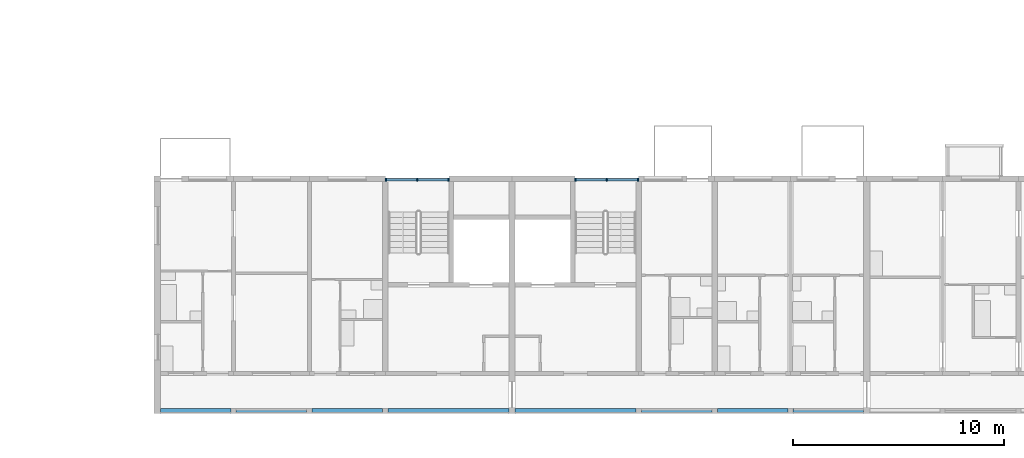
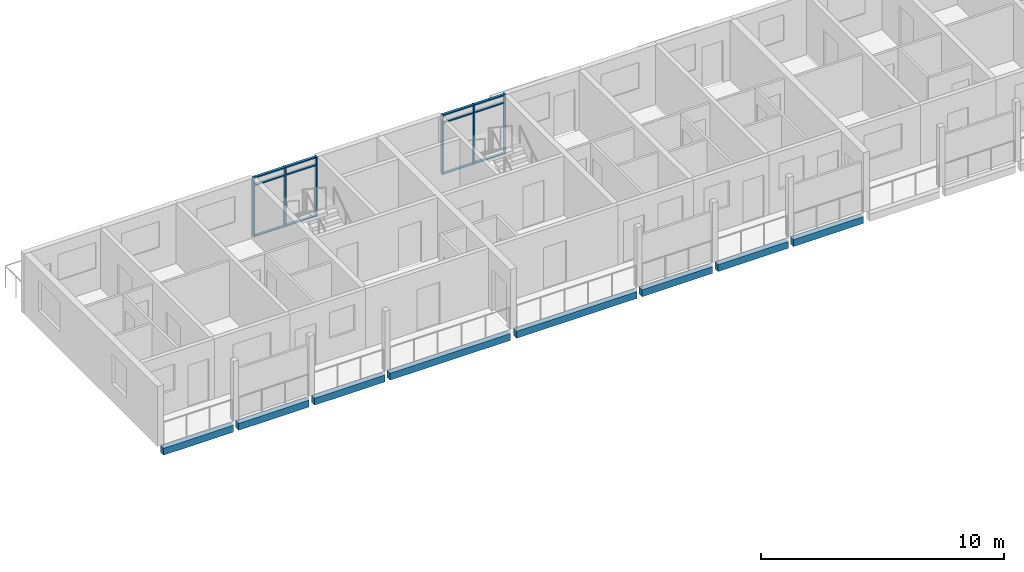
# One storey, part 12 of 99: 18 members, 8 beams, 2 elements without a shape of their own.
"""IFC4 building model written with IfcOpenShell, lengths in metres."""

from ifc_helpers import new_model, si_unit, direction, frame, origin, origin_2d, place, context, subcontext, project, spatial, rectangle, extrude, material, material_profile, profile_set, type_object, element, aggregate, save


model = new_model("IFC4")

# Units and contexts
model_context = context("Model", 3, precision=1e-05, world=origin(), true_north=direction((0.0, 1.0)))
body_context = subcontext(model_context, "Body", "Model", "MODEL_VIEW")
ifc_project = project(units=[si_unit("LENGTHUNIT", "METRE"), si_unit("AREAUNIT", "SQUARE_METRE"), si_unit("VOLUMEUNIT", "CUBIC_METRE"), si_unit("PLANEANGLEUNIT", "RADIAN"), si_unit("MASSUNIT", "GRAM", prefix="KILO")], contexts=[model_context])

# Site, building, storey
site_placement = place(None, origin())
site = spatial("IfcSite", under=ifc_project, at=site_placement, CompositionType="ELEMENT")
building_placement = place(site_placement, origin())
building = spatial("IfcBuilding", under=site, at=building_placement, Name="Ridgestep Commons", CompositionType="ELEMENT")
storey_placement = place(building_placement, frame((0.0, 0.0, 15.0)))
storey = spatial("IfcBuildingStorey", under=building, at=storey_placement, Name="L05", CompositionType="ELEMENT", Elevation=15.0)

# Beams
ifc_material_1 = material(Name="Precast concrete C40/50", Category="concrete")
ifc_material_profile_1 = material_profile(ifc_material_1, rectangle(XDim=0.25, YDim=0.35009765625, at=origin_2d()), Name="PC 250x350")
ifc_profile_set_1 = profile_set([ifc_material_profile_1], Name="Precast concrete C40/50")
beam_type = type_object("IfcBeamType", Name="Loggia edge beam 250 x 350", PredefinedType="SPANDREL", material=ifc_profile_set_1)
beam_1_placement = place(storey_placement, frame((146.949951171875, 11.875, -0.375), z_axis=(1.0, 0.0, 0.0), x_axis=(0.0, 1.0, 0.0)))
element("IfcBeam", 1, at=beam_1_placement, inside=storey, type_object=beam_type, Name="Loggia edge beam D1T1 L05", PredefinedType="SPANDREL", context=body_context, shape_type="SweptSolid", body=[
    extrude(rectangle(XDim=0.25, YDim=0.35009765625, at=origin_2d()), origin(), (0.0, 0.0, 1.0), 3.324951171875),
])
for number, where, z_axis, x_axis, name in (
    (2, (150.52490234375, 11.875, -0.375), (1.0, 0.0, 0.0), (0.0, 1.0, 0.0), "Loggia edge beam D1T2 L05"),
    (3, (154.125, 11.875, -0.375), (1.0, 0.0, 0.0), (0.0, 1.0, 0.0), "Loggia edge beam D1T3 L05"),
):
    element("IfcBeam", number, at=place(storey_placement, frame(where, z_axis=z_axis, x_axis=x_axis)), inside=storey, type_object=beam_type, Name=name, PredefinedType="SPANDREL", context=body_context, shape_type="SweptSolid", body=[
        extrude(rectangle(XDim=0.25, YDim=0.35009765625, at=origin_2d()), origin(), (0.0, 0.0, 1.0), 3.35009765625),
    ])
beam_2_placement = place(storey_placement, frame((157.72509765625, 11.875, -0.375), z_axis=(1.0, 0.0, 0.0), x_axis=(0.0, 1.0, 0.0)))
element("IfcBeam", 4, at=beam_2_placement, inside=storey, type_object=beam_type, Name="Loggia edge beam D1C L05", PredefinedType="SPANDREL", context=body_context, shape_type="SweptSolid", body=[
    extrude(rectangle(XDim=0.25, YDim=0.35009765625, at=origin_2d()), origin(), (0.0, 0.0, 1.0), 5.724853515625),
])
beam_3_placement = place(storey_placement, frame((163.75, 11.875, -0.375), z_axis=(1.0, 0.0, 0.0), x_axis=(0.0, 1.0, 0.0)))
element("IfcBeam", 5, at=beam_3_placement, inside=storey, type_object=beam_type, Name="Loggia edge beam D2C L05", PredefinedType="SPANDREL", context=body_context, shape_type="SweptSolid", body=[
    extrude(rectangle(XDim=0.25, YDim=0.35009765625, at=origin_2d()), origin(), (0.0, 0.0, 1.0), 5.72509765625),
])
beam_4_placement = place(storey_placement, frame((169.72509765625, 11.875, -0.375), z_axis=(1.0, 0.0, 0.0), x_axis=(0.0, 1.0, 0.0)))
element("IfcBeam", 6, at=beam_4_placement, inside=storey, type_object=beam_type, Name="Loggia edge beam D2T3 L05", PredefinedType="SPANDREL", context=body_context, shape_type="SweptSolid", body=[
    extrude(rectangle(XDim=0.25, YDim=0.35009765625, at=origin_2d()), origin(), (0.0, 0.0, 1.0), 3.349853515625),
])
beam_5_placement = place(storey_placement, frame((173.324951171875, 11.875, -0.375), z_axis=(1.0, 0.0, 0.0), x_axis=(0.0, 1.0, 0.0)))
element("IfcBeam", 7, at=beam_5_placement, inside=storey, type_object=beam_type, Name="Loggia edge beam D2T2 L05", PredefinedType="SPANDREL", context=body_context, shape_type="SweptSolid", body=[
    extrude(rectangle(XDim=0.25, YDim=0.35009765625, at=origin_2d()), origin(), (0.0, 0.0, 1.0), 3.35009765625),
])
beam_6_placement = place(storey_placement, frame((176.925048828125, 11.875, -0.375), z_axis=(1.0, 0.0, 0.0), x_axis=(0.0, 1.0, 0.0)))
element("IfcBeam", 8, at=beam_6_placement, inside=storey, type_object=beam_type, Name="Loggia edge beam D2T1 L05", PredefinedType="SPANDREL", context=body_context, shape_type="SweptSolid", body=[
    extrude(rectangle(XDim=0.25, YDim=0.35009765625, at=origin_2d()), origin(), (0.0, 0.0, 1.0), 3.324951171875),
])

# Curtain wall, members
ifc_material_2 = material(Name="Aluminium 6063-T6 and glass", Category="aluminium")
curtain_wall_type = type_object("IfcCurtainWallType", Name="Curtain wall stair strip", PredefinedType="NOTDEFINED", material=ifc_material_2)
curtain_wall_1_placement = place(storey_placement, origin())
curtain_wall_1 = element("IfcCurtainWall", 9, at=curtain_wall_1_placement, inside=storey, type_object=curtain_wall_type, Name="Curtain wall D1C level 05", PredefinedType="NOTDEFINED")
ifc_material_3 = material(Name="Aluminium 6063-T6", Category="aluminium")
ifc_material_profile_2 = material_profile(ifc_material_3, rectangle(XDim=0.159912109375, YDim=0.06005859375, at=origin_2d()), Name="Mullion 60 x 160")
ifc_profile_set_2 = profile_set([ifc_material_profile_2], Name="Aluminium 6063-T6")
member_type_1 = type_object("IfcMemberType", Name="Mullion 60 x 160", PredefinedType="MULLION", material=ifc_profile_set_2)
member_1_placement = place(storey_placement, frame((157.6298828125, 22.830078125, 0.0), z_axis=(0.0, 0.0, 1.0), x_axis=(0.0, 1.0, 0.0)))
member_1 = element("IfcMember", 10, at=member_1_placement, type_object=member_type_1, Name="CW1 mullion 1", PredefinedType="MULLION", context=body_context, shape_type="SweptSolid", body=[
    extrude(rectangle(XDim=0.159912109375, YDim=0.06005859375, at=origin_2d()), origin(), (0.0, 0.0, 1.0), 3.0),
])
member_2_placement = place(storey_placement, frame((159.112548828125, 22.830078125, 0.0), z_axis=(0.0, 0.0, 1.0), x_axis=(0.0, 1.0, 0.0)))
member_2 = element("IfcMember", 11, at=member_2_placement, type_object=member_type_1, Name="CW1 mullion 2", PredefinedType="MULLION", context=body_context, shape_type="SweptSolid", body=[
    extrude(rectangle(XDim=0.159912109375, YDim=0.06005859375, at=origin_2d()), origin(), (0.0, 0.0, 1.0), 3.0),
])
member_3_placement = place(storey_placement, frame((160.594970703125, 22.830078125, 0.0), z_axis=(0.0, 0.0, 1.0), x_axis=(0.0, 1.0, 0.0)))
member_3 = element("IfcMember", 12, at=member_3_placement, type_object=member_type_1, Name="CW1 mullion 3", PredefinedType="MULLION", context=body_context, shape_type="SweptSolid", body=[
    extrude(rectangle(XDim=0.159912109375, YDim=0.06005859375, at=origin_2d()), origin(), (0.0, 0.0, 1.0), 3.0),
])

curtain_wall_2_placement = place(storey_placement, origin())
curtain_wall_2 = element("IfcCurtainWall", 13, at=curtain_wall_2_placement, inside=storey, type_object=curtain_wall_type, Name="Curtain wall D2C level 05", PredefinedType="NOTDEFINED")
member_4_placement = place(storey_placement, frame((166.60498046875, 22.830078125, 0.0), z_axis=(0.0, 0.0, 1.0), x_axis=(0.0, 1.0, 0.0)))
member_4 = element("IfcMember", 14, at=member_4_placement, type_object=member_type_1, Name="CW1 mullion 1", PredefinedType="MULLION", context=body_context, shape_type="SweptSolid", body=[
    extrude(rectangle(XDim=0.159912109375, YDim=0.06005859375, at=origin_2d()), origin(), (0.0, 0.0, 1.0), 3.0),
])
member_5_placement = place(storey_placement, frame((168.08740234375, 22.830078125, 0.0), z_axis=(0.0, 0.0, 1.0), x_axis=(0.0, 1.0, 0.0)))
member_5 = element("IfcMember", 15, at=member_5_placement, type_object=member_type_1, Name="CW1 mullion 2", PredefinedType="MULLION", context=body_context, shape_type="SweptSolid", body=[
    extrude(rectangle(XDim=0.159912109375, YDim=0.06005859375, at=origin_2d()), origin(), (0.0, 0.0, 1.0), 3.0),
])
member_6_placement = place(storey_placement, frame((169.570068359375, 22.830078125, 0.0), z_axis=(0.0, 0.0, 1.0), x_axis=(0.0, 1.0, 0.0)))
member_6 = element("IfcMember", 16, at=member_6_placement, type_object=member_type_1, Name="CW1 mullion 3", PredefinedType="MULLION", context=body_context, shape_type="SweptSolid", body=[
    extrude(rectangle(XDim=0.159912109375, YDim=0.06005859375, at=origin_2d()), origin(), (0.0, 0.0, 1.0), 3.0),
])

# Member
ifc_material_4 = material(Name="Aluminium 6063-T6", Category="aluminium")
ifc_material_profile_3 = material_profile(ifc_material_4, rectangle(XDim=0.1201171875, YDim=0.06005859375, at=origin_2d()), Name="Transom 60 x 120")
ifc_profile_set_3 = profile_set([ifc_material_profile_3], Name="Aluminium 6063-T6")
member_type_2 = type_object("IfcMemberType", Name="Transom 60 x 120", PredefinedType="USERDEFINED", material=ifc_profile_set_3)
member_7_placement = place(storey_placement, frame((157.659912109375, 22.830078125, 0.030029296875), z_axis=(1.0, 0.0, 0.0), x_axis=(0.0, 1.0, 0.0)))
member_7 = element("IfcMember", 17, at=member_7_placement, type_object=member_type_2, Name="CW1 transom 1.1", ObjectType="TRANSOM", PredefinedType="USERDEFINED", context=body_context, shape_type="SweptSolid", body=[
    extrude(rectangle(XDim=0.1201171875, YDim=0.06005859375, at=origin_2d()), origin(), (0.0, 0.0, 1.0), 1.422607421875),
])

member_8_placement = place(storey_placement, frame((157.659912109375, 22.830078125, 2.590087890625), z_axis=(1.0, 0.0, 0.0), x_axis=(0.0, 1.0, 0.0)))
member_8 = element("IfcMember", 18, at=member_8_placement, type_object=member_type_2, Name="CW1 transom 1.2", ObjectType="TRANSOM", PredefinedType="USERDEFINED", context=body_context, shape_type="SweptSolid", body=[
    extrude(rectangle(XDim=0.1201171875, YDim=0.06005859375, at=origin_2d()), origin(), (0.0, 0.0, 1.0), 1.422607421875),
])

member_9_placement = place(storey_placement, frame((157.659912109375, 22.830078125, 2.969970703125), z_axis=(1.0, 0.0, 0.0), x_axis=(0.0, 1.0, 0.0)))
member_9 = element("IfcMember", 19, at=member_9_placement, type_object=member_type_2, Name="CW1 transom 1.3", ObjectType="TRANSOM", PredefinedType="USERDEFINED", context=body_context, shape_type="SweptSolid", body=[
    extrude(rectangle(XDim=0.1201171875, YDim=0.06005859375, at=origin_2d()), origin(), (0.0, 0.0, 1.0), 1.422607421875),
])

member_10_placement = place(storey_placement, frame((159.142578125, 22.830078125, 0.030029296875), z_axis=(1.0, 0.0, 0.0), x_axis=(0.0, 1.0, 0.0)))
member_10 = element("IfcMember", 20, at=member_10_placement, type_object=member_type_2, Name="CW1 transom 2.1", ObjectType="TRANSOM", PredefinedType="USERDEFINED", context=body_context, shape_type="SweptSolid", body=[
    extrude(rectangle(XDim=0.1201171875, YDim=0.06005859375, at=origin_2d()), origin(), (0.0, 0.0, 1.0), 1.42236328125),
])

member_11_placement = place(storey_placement, frame((159.142578125, 22.830078125, 2.590087890625), z_axis=(1.0, 0.0, 0.0), x_axis=(0.0, 1.0, 0.0)))
member_11 = element("IfcMember", 21, at=member_11_placement, type_object=member_type_2, Name="CW1 transom 2.2", ObjectType="TRANSOM", PredefinedType="USERDEFINED", context=body_context, shape_type="SweptSolid", body=[
    extrude(rectangle(XDim=0.1201171875, YDim=0.06005859375, at=origin_2d()), origin(), (0.0, 0.0, 1.0), 1.42236328125),
])

member_12_placement = place(storey_placement, frame((159.142578125, 22.830078125, 2.969970703125), z_axis=(1.0, 0.0, 0.0), x_axis=(0.0, 1.0, 0.0)))
member_12 = element("IfcMember", 22, at=member_12_placement, type_object=member_type_2, Name="CW1 transom 2.3", ObjectType="TRANSOM", PredefinedType="USERDEFINED", context=body_context, shape_type="SweptSolid", body=[
    extrude(rectangle(XDim=0.1201171875, YDim=0.06005859375, at=origin_2d()), origin(), (0.0, 0.0, 1.0), 1.42236328125),
])

aggregate(curtain_wall_1, [member_1, member_2, member_3, member_7, member_8, member_9, member_10, member_11, member_12])

member_13_placement = place(storey_placement, frame((166.635009765625, 22.830078125, 0.030029296875), z_axis=(1.0, 0.0, 0.0), x_axis=(0.0, 1.0, 0.0)))
member_13 = element("IfcMember", 23, at=member_13_placement, type_object=member_type_2, Name="CW1 transom 1.1", ObjectType="TRANSOM", PredefinedType="USERDEFINED", context=body_context, shape_type="SweptSolid", body=[
    extrude(rectangle(XDim=0.1201171875, YDim=0.06005859375, at=origin_2d()), origin(), (0.0, 0.0, 1.0), 1.422607421875),
])

member_14_placement = place(storey_placement, frame((166.635009765625, 22.830078125, 2.590087890625), z_axis=(1.0, 0.0, 0.0), x_axis=(0.0, 1.0, 0.0)))
member_14 = element("IfcMember", 24, at=member_14_placement, type_object=member_type_2, Name="CW1 transom 1.2", ObjectType="TRANSOM", PredefinedType="USERDEFINED", context=body_context, shape_type="SweptSolid", body=[
    extrude(rectangle(XDim=0.1201171875, YDim=0.06005859375, at=origin_2d()), origin(), (0.0, 0.0, 1.0), 1.422607421875),
])

member_15_placement = place(storey_placement, frame((166.635009765625, 22.830078125, 2.969970703125), z_axis=(1.0, 0.0, 0.0), x_axis=(0.0, 1.0, 0.0)))
member_15 = element("IfcMember", 25, at=member_15_placement, type_object=member_type_2, Name="CW1 transom 1.3", ObjectType="TRANSOM", PredefinedType="USERDEFINED", context=body_context, shape_type="SweptSolid", body=[
    extrude(rectangle(XDim=0.1201171875, YDim=0.06005859375, at=origin_2d()), origin(), (0.0, 0.0, 1.0), 1.422607421875),
])

member_16_placement = place(storey_placement, frame((168.117431640625, 22.830078125, 0.030029296875), z_axis=(1.0, 0.0, 0.0), x_axis=(0.0, 1.0, 0.0)))
member_16 = element("IfcMember", 26, at=member_16_placement, type_object=member_type_2, Name="CW1 transom 2.1", ObjectType="TRANSOM", PredefinedType="USERDEFINED", context=body_context, shape_type="SweptSolid", body=[
    extrude(rectangle(XDim=0.1201171875, YDim=0.06005859375, at=origin_2d()), origin(), (0.0, 0.0, 1.0), 1.422607421875),
])

member_17_placement = place(storey_placement, frame((168.117431640625, 22.830078125, 2.590087890625), z_axis=(1.0, 0.0, 0.0), x_axis=(0.0, 1.0, 0.0)))
member_17 = element("IfcMember", 27, at=member_17_placement, type_object=member_type_2, Name="CW1 transom 2.2", ObjectType="TRANSOM", PredefinedType="USERDEFINED", context=body_context, shape_type="SweptSolid", body=[
    extrude(rectangle(XDim=0.1201171875, YDim=0.06005859375, at=origin_2d()), origin(), (0.0, 0.0, 1.0), 1.422607421875),
])

member_18_placement = place(storey_placement, frame((168.117431640625, 22.830078125, 2.969970703125), z_axis=(1.0, 0.0, 0.0), x_axis=(0.0, 1.0, 0.0)))
member_18 = element("IfcMember", 28, at=member_18_placement, type_object=member_type_2, Name="CW1 transom 2.3", ObjectType="TRANSOM", PredefinedType="USERDEFINED", context=body_context, shape_type="SweptSolid", body=[
    extrude(rectangle(XDim=0.1201171875, YDim=0.06005859375, at=origin_2d()), origin(), (0.0, 0.0, 1.0), 1.422607421875),
])

aggregate(curtain_wall_2, [member_4, member_5, member_6, member_13, member_14, member_15, member_16, member_17, member_18])

save(model, "model.ifc")
